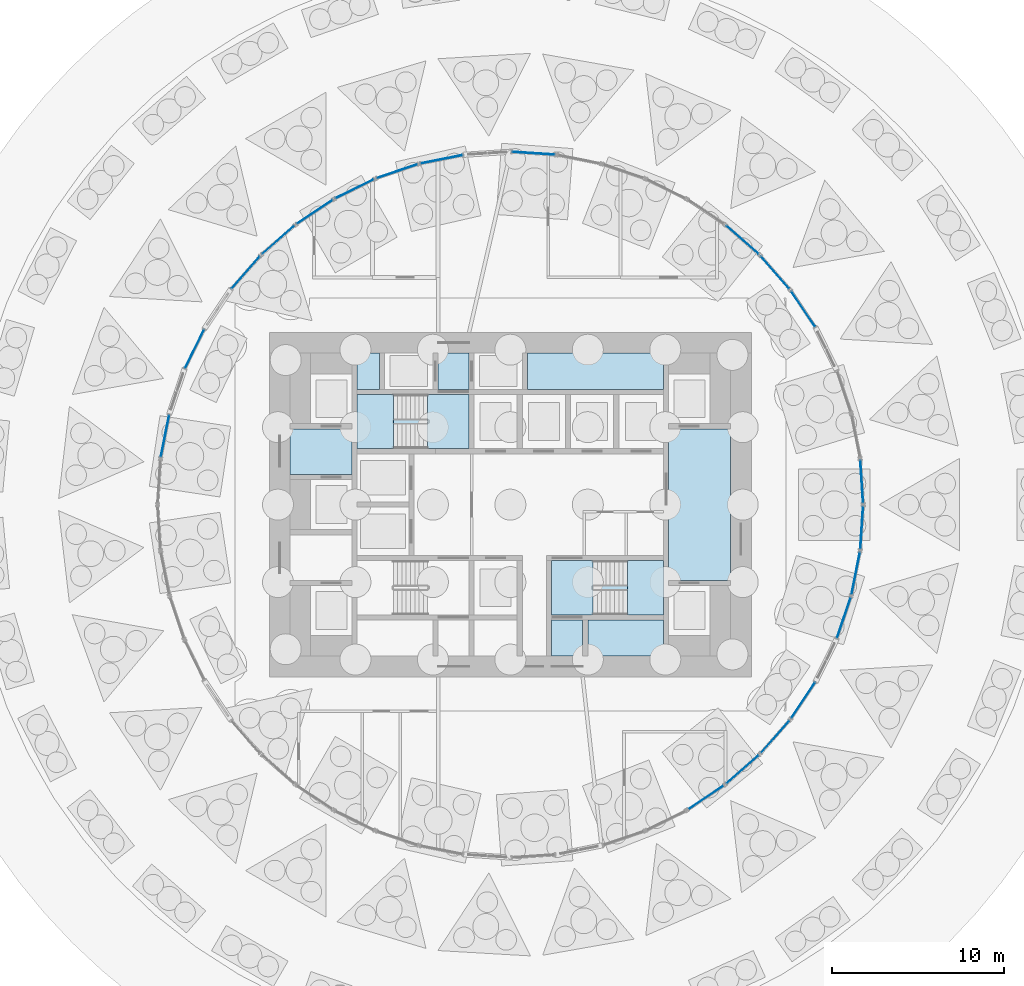
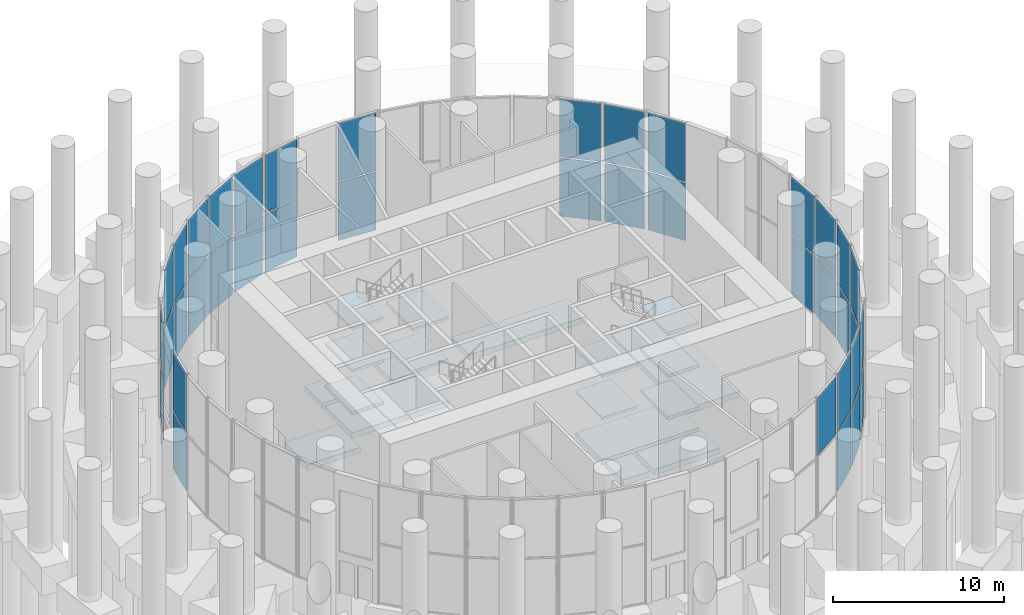
# One storey, part 11 of 20: 39 plates, 19 slabs, 22 elements without a shape of their own.
"""IFC4 building model written with IfcOpenShell, lengths in metres."""

from ifc_helpers import new_model, si_unit, direction, frame, origin, origin_2d, place, context, subcontext, project, spatial, polyline, rectangle, outline, extrude, material, layer, layer_set, type_object, element, aggregate, save


model = new_model("IFC4")

# Units and contexts
model_context = context("Model", 3, precision=1e-05, world=origin(), true_north=direction((0.0, 1.0)))
body_context = subcontext(model_context, "Body", "Model", "MODEL_VIEW")
ifc_project = project(units=[si_unit("LENGTHUNIT", "METRE"), si_unit("AREAUNIT", "SQUARE_METRE"), si_unit("VOLUMEUNIT", "CUBIC_METRE"), si_unit("PLANEANGLEUNIT", "RADIAN"), si_unit("MASSUNIT", "GRAM", prefix="KILO")], contexts=[model_context])

# Site, building, storey
site_placement = place(None, origin())
site = spatial("IfcSite", under=ifc_project, at=site_placement, CompositionType="ELEMENT")
building_placement = place(site_placement, origin())
building = spatial("IfcBuilding", under=site, at=building_placement, Name="Tracery Tower", CompositionType="ELEMENT")
storey_placement = place(building_placement, origin())
storey = spatial("IfcBuildingStorey", under=building, at=storey_placement, Name="L00", CompositionType="ELEMENT", Elevation=0.0)

# Slabs
ifc_material_1 = material(Name="Concrete C60/75", Category="concrete")
ifc_layer_1 = layer(ifc_material_1, 0.39990234375)
ifc_layer_set_1 = layer_set([ifc_layer_1], Name="Core floor slab 400 C60")
slab_type_1 = type_object("IfcSlabType", Name="Core floor slab 400 C60", PredefinedType="FLOOR", material=ifc_layer_set_1)
slab_1_placement = place(storey_placement, frame((0.0, 0.0, -0.39990234375)))
element("IfcSlab", 1, at=slab_1_placement, inside=storey, type_object=slab_type_1, Name="L00 core floor 1", PredefinedType="FLOOR", context=body_context, shape_type="SweptSolid", body=[
    extrude(outline(polyline([(-8.89990234375, 8.800048828125), (-7.60009765625, 8.800048828125), (-7.60009765625, 6.699951171875), (-8.89990234375, 6.699951171875), (-8.89990234375, 8.800048828125)])), origin(), (0.0, 0.0, 1.0), 0.39990234375),
])
slab_2_placement = place(storey_placement, frame((0.0, 0.0, -0.39990234375)))
element("IfcSlab", 2, at=slab_2_placement, inside=storey, type_object=slab_type_1, Name="L00 core floor 2", PredefinedType="FLOOR", context=body_context, shape_type="SweptSolid", body=[
    extrude(outline(polyline([(-8.89990234375, 6.39990234375), (-2.39990234375, 6.39990234375), (-2.39990234375, 3.25), (-8.89990234375, 3.25), (-8.89990234375, 6.39990234375)])), origin(), (0.0, 0.0, 1.0), 0.39990234375),
])
slab_3_placement = place(storey_placement, frame((0.0, 0.0, -0.39990234375)))
element("IfcSlab", 3, at=slab_3_placement, inside=storey, type_object=slab_type_1, Name="L00 core floor 4", PredefinedType="FLOOR", context=body_context, shape_type="SweptSolid", body=[
    extrude(outline(polyline([(2.39990234375, -3.25), (8.89990234375, -3.25), (8.89990234375, -6.39990234375), (2.39990234375, -6.39990234375), (2.39990234375, -3.25)])), origin(), (0.0, 0.0, 1.0), 0.39990234375),
])
slab_4_placement = place(storey_placement, frame((0.0, 0.0, -0.39990234375)))
element("IfcSlab", 4, at=slab_4_placement, inside=storey, type_object=slab_type_1, Name="L00 core floor 5", PredefinedType="FLOOR", context=body_context, shape_type="SweptSolid", body=[
    extrude(outline(polyline([(2.39990234375, -6.699951171875), (4.199951171875, -6.699951171875), (4.199951171875, -8.800048828125), (2.39990234375, -8.800048828125), (2.39990234375, -6.699951171875)])), origin(), (0.0, 0.0, 1.0), 0.39990234375),
])
slab_5_placement = place(storey_placement, frame((0.0, 0.0, -0.39990234375)))
element("IfcSlab", 5, at=slab_5_placement, inside=storey, type_object=slab_type_1, Name="L00 core floor 6", PredefinedType="FLOOR", context=body_context, shape_type="SweptSolid", body=[
    extrude(outline(polyline([(4.5, -8.800048828125), (4.5, -6.699951171875), (8.89990234375, -6.699951171875), (8.89990234375, -8.800048828125), (4.5, -8.800048828125)])), origin(), (0.0, 0.0, 1.0), 0.39990234375),
])
slab_6_placement = place(storey_placement, frame((0.0, 0.0, -0.39990234375)))
element("IfcSlab", 6, at=slab_6_placement, inside=storey, type_object=slab_type_1, Name="L00 core floor 7", PredefinedType="FLOOR", context=body_context, shape_type="SweptSolid", body=[
    extrude(outline(polyline([(-12.800048828125, 1.75), (-12.800048828125, 4.39990234375), (-9.199951171875, 4.39990234375), (-9.199951171875, 1.75), (-12.800048828125, 1.75)])), origin(), (0.0, 0.0, 1.0), 0.39990234375),
])
slab_7_placement = place(storey_placement, frame((0.0, 0.0, -0.39990234375)))
element("IfcSlab", 7, at=slab_7_placement, inside=storey, type_object=slab_type_1, Name="L00 core floor 13", PredefinedType="FLOOR", context=body_context, shape_type="SweptSolid", body=[
    extrude(outline(polyline([(1.0, 8.800048828125), (8.89990234375, 8.800048828125), (8.89990234375, 6.699951171875), (1.0, 6.699951171875), (1.0, 8.800048828125)])), origin(), (0.0, 0.0, 1.0), 0.39990234375),
])
slab_8_placement = place(storey_placement, frame((0.0, 0.0, -0.39990234375)))
element("IfcSlab", 8, at=slab_8_placement, inside=storey, type_object=slab_type_1, Name="L00 core floor 14", PredefinedType="FLOOR", context=body_context, shape_type="SweptSolid", body=[
    extrude(outline(polyline([(-2.39990234375, 8.800048828125), (-2.39990234375, 6.699951171875), (-4.199951171875, 6.699951171875), (-4.199951171875, 8.800048828125), (-2.39990234375, 8.800048828125)])), origin(), (0.0, 0.0, 1.0), 0.39990234375),
])
slab_9_placement = place(storey_placement, frame((0.0, 0.0, -0.39990234375)))
element("IfcSlab", 9, at=slab_9_placement, inside=storey, type_object=slab_type_1, Name="L00 core floor 15", PredefinedType="FLOOR", context=body_context, shape_type="SweptSolid", body=[
    extrude(outline(polyline([(12.800048828125, -4.39990234375), (9.199951171875, -4.39990234375), (9.199951171875, 4.39990234375), (12.800048828125, 4.39990234375), (12.800048828125, -4.39990234375)])), origin(), (0.0, 0.0, 1.0), 0.39990234375),
])

# Curtain wall, plates
ifc_material_2 = material(Name="Aluminium curtain wall with tinted glass", Category="aluminium")
curtain_wall_type = type_object("IfcCurtainWallType", Name="Pavilion storefront curtain wall", PredefinedType="NOTDEFINED", material=ifc_material_2)
curtain_wall_1_placement = place(storey_placement, origin())
curtain_wall_1 = element("IfcCurtainWall", 10, at=curtain_wall_1_placement, inside=storey, type_object=curtain_wall_type, Name="Pavilion storefront run 00", PredefinedType="NOTDEFINED")
ifc_material_3 = material(Name="Tinted laminated glass", Category="glass")
ifc_layer_2 = layer(ifc_material_3, 0.035888671875)
ifc_layer_set_2 = layer_set([ifc_layer_2], Name="Pavilion storefront glass panel 36")
plate_type = type_object("IfcPlateType", Name="Pavilion storefront glass panel 36", PredefinedType="CURTAIN_PANEL", material=ifc_layer_set_2)
plate_1_placement = place(storey_placement, frame((20.412353515625, 1.337890625, 0.10009765625), z_axis=(0.0, 0.0, 1.0), x_axis=(-0.065421948674, 0.997857689569, 0.0)))
plate_1 = element("IfcPlate", 11, at=plate_1_placement, type_object=plate_type, Name="CWB1 panel 1.1", PredefinedType="CURTAIN_PANEL", context=body_context, shape_type="SweptSolid", body=[
    extrude(rectangle(XDim=2.461669921875, YDim=0.035888671875, at=origin_2d()), origin(), (0.0, 0.0, 1.0), 4.125),
])
plate_2_placement = place(storey_placement, frame((20.412353515625, 1.337890625, 4.324951171875), z_axis=(0.0, 0.0, 1.0), x_axis=(-0.065421948674, 0.997857689569, 0.0)))
plate_2 = element("IfcPlate", 12, at=plate_2_placement, type_object=plate_type, Name="CWB1 panel 1.2", PredefinedType="CURTAIN_PANEL", context=body_context, shape_type="SweptSolid", body=[
    extrude(rectangle(XDim=2.461669921875, YDim=0.035888671875, at=origin_2d()), origin(), (0.0, 0.0, 1.0), 4.125),
])
aggregate(curtain_wall_1, [plate_1, plate_2])

curtain_wall_2_placement = place(storey_placement, origin())
curtain_wall_2 = element("IfcCurtainWall", 13, at=curtain_wall_2_placement, inside=storey, type_object=curtain_wall_type, Name="Pavilion storefront run 04", PredefinedType="NOTDEFINED")
plate_3_placement = place(storey_placement, frame((17.008544921875, 11.36474609375, 0.10009765625), z_axis=(0.0, 0.0, 1.0), x_axis=(-0.555560344148, 0.83147621975, 0.0)))
plate_3 = element("IfcPlate", 14, at=plate_3_placement, type_object=plate_type, Name="CWB1 panel 1.1", PredefinedType="CURTAIN_PANEL", context=body_context, shape_type="SweptSolid", body=[
    extrude(rectangle(XDim=2.46142578125, YDim=0.035888671875, at=origin_2d()), origin(), (0.0, 0.0, 1.0), 4.125),
])
plate_4_placement = place(storey_placement, frame((17.008544921875, 11.36474609375, 4.324951171875), z_axis=(0.0, 0.0, 1.0), x_axis=(-0.555560344148, 0.83147621975, 0.0)))
plate_4 = element("IfcPlate", 15, at=plate_4_placement, type_object=plate_type, Name="CWB1 panel 1.2", PredefinedType="CURTAIN_PANEL", context=body_context, shape_type="SweptSolid", body=[
    extrude(rectangle(XDim=2.46142578125, YDim=0.035888671875, at=origin_2d()), origin(), (0.0, 0.0, 1.0), 4.125),
])
aggregate(curtain_wall_2, [plate_3, plate_4])

curtain_wall_3_placement = place(storey_placement, origin())
curtain_wall_3 = element("IfcCurtainWall", 16, at=curtain_wall_3_placement, inside=storey, type_object=curtain_wall_type, Name="Pavilion storefront run 05", PredefinedType="NOTDEFINED")
plate_5_placement = place(storey_placement, frame((15.379638671875, 13.487548828125, 0.10009765625), z_axis=(0.0, 0.0, 1.0), x_axis=(-0.659350537973, 0.751835665604, 0.0)))
plate_5 = element("IfcPlate", 17, at=plate_5_placement, type_object=plate_type, Name="CWB1 panel 1.1", PredefinedType="CURTAIN_PANEL", context=body_context, shape_type="SweptSolid", body=[
    extrude(rectangle(XDim=2.46142578125, YDim=0.035888671875, at=origin_2d()), origin(), (0.0, 0.0, 1.0), 4.125),
])
plate_6_placement = place(storey_placement, frame((15.379638671875, 13.487548828125, 4.324951171875), z_axis=(0.0, 0.0, 1.0), x_axis=(-0.659350537973, 0.751835665604, 0.0)))
plate_6 = element("IfcPlate", 18, at=plate_6_placement, type_object=plate_type, Name="CWB1 panel 1.2", PredefinedType="CURTAIN_PANEL", context=body_context, shape_type="SweptSolid", body=[
    extrude(rectangle(XDim=2.46142578125, YDim=0.035888671875, at=origin_2d()), origin(), (0.0, 0.0, 1.0), 4.125),
])
aggregate(curtain_wall_3, [plate_5, plate_6])

curtain_wall_4_placement = place(storey_placement, origin())
curtain_wall_4 = element("IfcCurtainWall", 19, at=curtain_wall_4_placement, inside=storey, type_object=curtain_wall_type, Name="Pavilion storefront run 06", PredefinedType="NOTDEFINED")
plate_7_placement = place(storey_placement, frame((13.487548828125, 15.379638671875, 0.10009765625), z_axis=(0.0, 0.0, 1.0), x_axis=(-0.751835665604, 0.659350537973, 0.0)))
plate_7 = element("IfcPlate", 20, at=plate_7_placement, type_object=plate_type, Name="CWB1 panel 1.1", PredefinedType="CURTAIN_PANEL", context=body_context, shape_type="SweptSolid", body=[
    extrude(rectangle(XDim=2.46142578125, YDim=0.035888671875, at=origin_2d()), origin(), (0.0, 0.0, 1.0), 4.125),
])
plate_8_placement = place(storey_placement, frame((13.487548828125, 15.379638671875, 4.324951171875), z_axis=(0.0, 0.0, 1.0), x_axis=(-0.751835665604, 0.659350537973, 0.0)))
plate_8 = element("IfcPlate", 21, at=plate_8_placement, type_object=plate_type, Name="CWB1 panel 1.2", PredefinedType="CURTAIN_PANEL", context=body_context, shape_type="SweptSolid", body=[
    extrude(rectangle(XDim=2.46142578125, YDim=0.035888671875, at=origin_2d()), origin(), (0.0, 0.0, 1.0), 4.125),
])
aggregate(curtain_wall_4, [plate_7, plate_8])

curtain_wall_5_placement = place(storey_placement, origin())
curtain_wall_5 = element("IfcCurtainWall", 22, at=curtain_wall_5_placement, inside=storey, type_object=curtain_wall_type, Name="Pavilion storefront run 11", PredefinedType="NOTDEFINED")
plate_9_placement = place(storey_placement, frame((1.337890625, 20.412353515625, 0.10009765625), z_axis=(0.0, 0.0, 1.0), x_axis=(-0.997857689569, 0.065421948674, 0.0)))
plate_9 = element("IfcPlate", 23, at=plate_9_placement, type_object=plate_type, Name="CWB1 panel 1.1", PredefinedType="CURTAIN_PANEL", context=body_context, shape_type="SweptSolid", body=[
    extrude(rectangle(XDim=2.461669921875, YDim=0.035888671875, at=origin_2d()), origin(), (0.0, 0.0, 1.0), 4.125),
])
plate_10_placement = place(storey_placement, frame((1.337890625, 20.412353515625, 4.324951171875), z_axis=(0.0, 0.0, 1.0), x_axis=(-0.997857689569, 0.065421948674, 0.0)))
plate_10 = element("IfcPlate", 24, at=plate_10_placement, type_object=plate_type, Name="CWB1 panel 1.2", PredefinedType="CURTAIN_PANEL", context=body_context, shape_type="SweptSolid", body=[
    extrude(rectangle(XDim=2.461669921875, YDim=0.035888671875, at=origin_2d()), origin(), (0.0, 0.0, 1.0), 4.125),
])
aggregate(curtain_wall_5, [plate_9, plate_10])

curtain_wall_6_placement = place(storey_placement, origin())
curtain_wall_6 = element("IfcCurtainWall", 25, at=curtain_wall_6_placement, inside=storey, type_object=curtain_wall_type, Name="Pavilion storefront run 13", PredefinedType="NOTDEFINED")
plate_11_placement = place(storey_placement, frame((-3.99072265625, 20.06298828125, 0.10009765625), z_axis=(0.0, 0.0, 1.0), x_axis=(-0.980788574976, -0.195073758352, 0.0)))
plate_11 = element("IfcPlate", 26, at=plate_11_placement, type_object=plate_type, Name="CWB1 panel 1.1", PredefinedType="CURTAIN_PANEL", context=body_context, shape_type="SweptSolid", body=[
    extrude(rectangle(XDim=2.461669921875, YDim=0.035888671875, at=origin_2d()), origin(), (0.0, 0.0, 1.0), 4.125),
])
plate_12_placement = place(storey_placement, frame((-3.99072265625, 20.06298828125, 4.324951171875), z_axis=(0.0, 0.0, 1.0), x_axis=(-0.980788574976, -0.195073758352, 0.0)))
plate_12 = element("IfcPlate", 27, at=plate_12_placement, type_object=plate_type, Name="CWB1 panel 1.2", PredefinedType="CURTAIN_PANEL", context=body_context, shape_type="SweptSolid", body=[
    extrude(rectangle(XDim=2.461669921875, YDim=0.035888671875, at=origin_2d()), origin(), (0.0, 0.0, 1.0), 4.125),
])
aggregate(curtain_wall_6, [plate_11, plate_12])

curtain_wall_7_placement = place(storey_placement, origin())
curtain_wall_7 = element("IfcCurtainWall", 28, at=curtain_wall_7_placement, inside=storey, type_object=curtain_wall_type, Name="Pavilion storefront run 14", PredefinedType="NOTDEFINED")
plate_13_placement = place(storey_placement, frame((-6.575439453125, 19.37060546875, 0.10009765625), z_axis=(0.0, 0.0, 1.0), x_axis=(-0.946931489225, -0.32143545964, 0.0)))
plate_13 = element("IfcPlate", 29, at=plate_13_placement, type_object=plate_type, Name="CWB1 panel 1.1", PredefinedType="CURTAIN_PANEL", context=body_context, shape_type="SweptSolid", body=[
    extrude(rectangle(XDim=2.46142578125, YDim=0.035888671875, at=origin_2d()), origin(), (0.0, 0.0, 1.0), 4.125),
])
plate_14_placement = place(storey_placement, frame((-6.575439453125, 19.37060546875, 4.324951171875), z_axis=(0.0, 0.0, 1.0), x_axis=(-0.946931489225, -0.32143545964, 0.0)))
plate_14 = element("IfcPlate", 30, at=plate_14_placement, type_object=plate_type, Name="CWB1 panel 1.2", PredefinedType="CURTAIN_PANEL", context=body_context, shape_type="SweptSolid", body=[
    extrude(rectangle(XDim=2.46142578125, YDim=0.035888671875, at=origin_2d()), origin(), (0.0, 0.0, 1.0), 4.125),
])
aggregate(curtain_wall_7, [plate_13, plate_14])

curtain_wall_8_placement = place(storey_placement, origin())
curtain_wall_8 = element("IfcCurtainWall", 31, at=curtain_wall_8_placement, inside=storey, type_object=curtain_wall_type, Name="Pavilion storefront run 15", PredefinedType="NOTDEFINED")
plate_15_placement = place(storey_placement, frame((-9.047607421875, 18.346435546875, 0.10009765625), z_axis=(0.0, 0.0, 1.0), x_axis=(-0.896873794872, -0.442286554251, 0.0)))
plate_15 = element("IfcPlate", 32, at=plate_15_placement, type_object=plate_type, Name="CWB1 panel 1.1", PredefinedType="CURTAIN_PANEL", context=body_context, shape_type="SweptSolid", body=[
    extrude(rectangle(XDim=2.46142578125, YDim=0.035888671875, at=origin_2d()), origin(), (0.0, 0.0, 1.0), 4.125),
])
plate_16_placement = place(storey_placement, frame((-9.047607421875, 18.346435546875, 4.324951171875), z_axis=(0.0, 0.0, 1.0), x_axis=(-0.896873794872, -0.442286554251, 0.0)))
plate_16 = element("IfcPlate", 33, at=plate_16_placement, type_object=plate_type, Name="CWB1 panel 1.2", PredefinedType="CURTAIN_PANEL", context=body_context, shape_type="SweptSolid", body=[
    extrude(rectangle(XDim=2.46142578125, YDim=0.035888671875, at=origin_2d()), origin(), (0.0, 0.0, 1.0), 4.125),
])
aggregate(curtain_wall_8, [plate_15, plate_16])

curtain_wall_9_placement = place(storey_placement, origin())
curtain_wall_9 = element("IfcCurtainWall", 34, at=curtain_wall_9_placement, inside=storey, type_object=curtain_wall_type, Name="Pavilion storefront run 16", PredefinedType="NOTDEFINED")
plate_17_placement = place(storey_placement, frame((-11.36474609375, 17.008544921875, 0.10009765625), z_axis=(0.0, 0.0, 1.0), x_axis=(-0.83147621975, -0.555560344148, 0.0)))
plate_17 = element("IfcPlate", 35, at=plate_17_placement, type_object=plate_type, Name="CWB1 panel 1.1", PredefinedType="CURTAIN_PANEL", context=body_context, shape_type="SweptSolid", body=[
    extrude(rectangle(XDim=2.46142578125, YDim=0.035888671875, at=origin_2d()), origin(), (0.0, 0.0, 1.0), 4.125),
])
plate_18_placement = place(storey_placement, frame((-11.36474609375, 17.008544921875, 4.324951171875), z_axis=(0.0, 0.0, 1.0), x_axis=(-0.83147621975, -0.555560344148, 0.0)))
plate_18 = element("IfcPlate", 36, at=plate_18_placement, type_object=plate_type, Name="CWB1 panel 1.2", PredefinedType="CURTAIN_PANEL", context=body_context, shape_type="SweptSolid", body=[
    extrude(rectangle(XDim=2.46142578125, YDim=0.035888671875, at=origin_2d()), origin(), (0.0, 0.0, 1.0), 4.125),
])
aggregate(curtain_wall_9, [plate_17, plate_18])

curtain_wall_10_placement = place(storey_placement, origin())
curtain_wall_10 = element("IfcCurtainWall", 37, at=curtain_wall_10_placement, inside=storey, type_object=curtain_wall_type, Name="Pavilion storefront run 17", PredefinedType="NOTDEFINED")
plate_19_placement = place(storey_placement, frame((-13.487548828125, 15.379638671875, 0.10009765625), z_axis=(0.0, 0.0, 1.0), x_axis=(-0.751835665604, -0.659350537973, 0.0)))
plate_19 = element("IfcPlate", 38, at=plate_19_placement, type_object=plate_type, Name="CWB1 panel 1.1", PredefinedType="CURTAIN_PANEL", context=body_context, shape_type="SweptSolid", body=[
    extrude(rectangle(XDim=2.46142578125, YDim=0.035888671875, at=origin_2d()), origin(), (0.0, 0.0, 1.0), 4.125),
])
plate_20_placement = place(storey_placement, frame((-13.487548828125, 15.379638671875, 4.324951171875), z_axis=(0.0, 0.0, 1.0), x_axis=(-0.751835665604, -0.659350537973, 0.0)))
plate_20 = element("IfcPlate", 39, at=plate_20_placement, type_object=plate_type, Name="CWB1 panel 1.2", PredefinedType="CURTAIN_PANEL", context=body_context, shape_type="SweptSolid", body=[
    extrude(rectangle(XDim=2.46142578125, YDim=0.035888671875, at=origin_2d()), origin(), (0.0, 0.0, 1.0), 4.125),
])
aggregate(curtain_wall_10, [plate_19, plate_20])

curtain_wall_11_placement = place(storey_placement, origin())
curtain_wall_11 = element("IfcCurtainWall", 40, at=curtain_wall_11_placement, inside=storey, type_object=curtain_wall_type, Name="Pavilion storefront run 18", PredefinedType="NOTDEFINED")
plate_21_placement = place(storey_placement, frame((-15.379638671875, 13.487548828125, 0.10009765625), z_axis=(0.0, 0.0, 1.0), x_axis=(-0.659350537973, -0.751835665604, 0.0)))
plate_21 = element("IfcPlate", 41, at=plate_21_placement, type_object=plate_type, Name="CWB1 panel 1.1", PredefinedType="CURTAIN_PANEL", context=body_context, shape_type="SweptSolid", body=[
    extrude(rectangle(XDim=2.46142578125, YDim=0.035888671875, at=origin_2d()), origin(), (0.0, 0.0, 1.0), 4.125),
])
plate_22_placement = place(storey_placement, frame((-15.379638671875, 13.487548828125, 4.324951171875), z_axis=(0.0, 0.0, 1.0), x_axis=(-0.659350537973, -0.751835665604, 0.0)))
plate_22 = element("IfcPlate", 42, at=plate_22_placement, type_object=plate_type, Name="CWB1 panel 1.2", PredefinedType="CURTAIN_PANEL", context=body_context, shape_type="SweptSolid", body=[
    extrude(rectangle(XDim=2.46142578125, YDim=0.035888671875, at=origin_2d()), origin(), (0.0, 0.0, 1.0), 4.125),
])
aggregate(curtain_wall_11, [plate_21, plate_22])

curtain_wall_12_placement = place(storey_placement, origin())
curtain_wall_12 = element("IfcCurtainWall", 43, at=curtain_wall_12_placement, inside=storey, type_object=curtain_wall_type, Name="Pavilion storefront run 20", PredefinedType="NOTDEFINED")
plate_23_placement = place(storey_placement, frame((-18.346435546875, 9.047607421875, 0.10009765625), z_axis=(0.0, 0.0, 1.0), x_axis=(-0.442286554251, -0.896873794872, 0.0)))
plate_23 = element("IfcPlate", 44, at=plate_23_placement, type_object=plate_type, Name="CWB1 panel 1.1", PredefinedType="CURTAIN_PANEL", context=body_context, shape_type="SweptSolid", body=[
    extrude(rectangle(XDim=2.46142578125, YDim=0.035888671875, at=origin_2d()), origin(), (0.0, 0.0, 1.0), 4.125),
])
plate_24_placement = place(storey_placement, frame((-18.346435546875, 9.047607421875, 4.324951171875), z_axis=(0.0, 0.0, 1.0), x_axis=(-0.442286554251, -0.896873794872, 0.0)))
plate_24 = element("IfcPlate", 45, at=plate_24_placement, type_object=plate_type, Name="CWB1 panel 1.2", PredefinedType="CURTAIN_PANEL", context=body_context, shape_type="SweptSolid", body=[
    extrude(rectangle(XDim=2.46142578125, YDim=0.035888671875, at=origin_2d()), origin(), (0.0, 0.0, 1.0), 4.125),
])
aggregate(curtain_wall_12, [plate_23, plate_24])

curtain_wall_13_placement = place(storey_placement, origin())
curtain_wall_13 = element("IfcCurtainWall", 46, at=curtain_wall_13_placement, inside=storey, type_object=curtain_wall_type, Name="Pavilion storefront run 22", PredefinedType="NOTDEFINED")
plate_25_placement = place(storey_placement, frame((-20.06298828125, 3.99072265625, 0.10009765625), z_axis=(0.0, 0.0, 1.0), x_axis=(-0.195073758352, -0.980788574976, 0.0)))
plate_25 = element("IfcPlate", 47, at=plate_25_placement, type_object=plate_type, Name="CWB1 panel 1.1", PredefinedType="CURTAIN_PANEL", context=body_context, shape_type="SweptSolid", body=[
    extrude(rectangle(XDim=2.461669921875, YDim=0.035888671875, at=origin_2d()), origin(), (0.0, 0.0, 1.0), 4.125),
])
plate_26_placement = place(storey_placement, frame((-20.06298828125, 3.99072265625, 4.324951171875), z_axis=(0.0, 0.0, 1.0), x_axis=(-0.195073758352, -0.980788574976, 0.0)))
plate_26 = element("IfcPlate", 48, at=plate_26_placement, type_object=plate_type, Name="CWB1 panel 1.2", PredefinedType="CURTAIN_PANEL", context=body_context, shape_type="SweptSolid", body=[
    extrude(rectangle(XDim=2.461669921875, YDim=0.035888671875, at=origin_2d()), origin(), (0.0, 0.0, 1.0), 4.125),
])
aggregate(curtain_wall_13, [plate_25, plate_26])

# Curtain wall, plate
curtain_wall_14_placement = place(storey_placement, origin())
curtain_wall_14 = element("IfcCurtainWall", 49, at=curtain_wall_14_placement, inside=storey, type_object=curtain_wall_type, Name="Pavilion storefront run 40", PredefinedType="NOTDEFINED")
plate_27_placement = place(storey_placement, frame((11.36474609375, -17.008544921875, 4.324951171875), z_axis=(0.0, 0.0, 1.0), x_axis=(0.83147621975, 0.555560344148, 0.0)))
plate_27 = element("IfcPlate", 50, at=plate_27_placement, type_object=plate_type, Name="CWB1 panel 1.2", PredefinedType="CURTAIN_PANEL", context=body_context, shape_type="SweptSolid", body=[
    extrude(rectangle(XDim=2.46142578125, YDim=0.035888671875, at=origin_2d()), origin(), (0.0, 0.0, 1.0), 4.125),
])
aggregate(curtain_wall_14, [plate_27])

# Curtain wall, plates
curtain_wall_15_placement = place(storey_placement, origin())
curtain_wall_15 = element("IfcCurtainWall", 51, at=curtain_wall_15_placement, inside=storey, type_object=curtain_wall_type, Name="Pavilion storefront run 41", PredefinedType="NOTDEFINED")
plate_28_placement = place(storey_placement, frame((13.487548828125, -15.379638671875, 0.10009765625), z_axis=(0.0, 0.0, 1.0), x_axis=(0.751835665604, 0.659350537973, 0.0)))
plate_28 = element("IfcPlate", 52, at=plate_28_placement, type_object=plate_type, Name="CWB1 panel 1.1", PredefinedType="CURTAIN_PANEL", context=body_context, shape_type="SweptSolid", body=[
    extrude(rectangle(XDim=2.46142578125, YDim=0.035888671875, at=origin_2d()), origin(), (0.0, 0.0, 1.0), 4.125),
])
plate_29_placement = place(storey_placement, frame((13.487548828125, -15.379638671875, 4.324951171875), z_axis=(0.0, 0.0, 1.0), x_axis=(0.751835665604, 0.659350537973, 0.0)))
plate_29 = element("IfcPlate", 53, at=plate_29_placement, type_object=plate_type, Name="CWB1 panel 1.2", PredefinedType="CURTAIN_PANEL", context=body_context, shape_type="SweptSolid", body=[
    extrude(rectangle(XDim=2.46142578125, YDim=0.035888671875, at=origin_2d()), origin(), (0.0, 0.0, 1.0), 4.125),
])
aggregate(curtain_wall_15, [plate_28, plate_29])

curtain_wall_16_placement = place(storey_placement, origin())
curtain_wall_16 = element("IfcCurtainWall", 54, at=curtain_wall_16_placement, inside=storey, type_object=curtain_wall_type, Name="Pavilion storefront run 42", PredefinedType="NOTDEFINED")
plate_30_placement = place(storey_placement, frame((15.379638671875, -13.487548828125, 0.10009765625), z_axis=(0.0, 0.0, 1.0), x_axis=(0.659350537973, 0.751835665604, 0.0)))
plate_30 = element("IfcPlate", 55, at=plate_30_placement, type_object=plate_type, Name="CWB1 panel 1.1", PredefinedType="CURTAIN_PANEL", context=body_context, shape_type="SweptSolid", body=[
    extrude(rectangle(XDim=2.46142578125, YDim=0.035888671875, at=origin_2d()), origin(), (0.0, 0.0, 1.0), 4.125),
])
plate_31_placement = place(storey_placement, frame((15.379638671875, -13.487548828125, 4.324951171875), z_axis=(0.0, 0.0, 1.0), x_axis=(0.659350537973, 0.751835665604, 0.0)))
plate_31 = element("IfcPlate", 56, at=plate_31_placement, type_object=plate_type, Name="CWB1 panel 1.2", PredefinedType="CURTAIN_PANEL", context=body_context, shape_type="SweptSolid", body=[
    extrude(rectangle(XDim=2.46142578125, YDim=0.035888671875, at=origin_2d()), origin(), (0.0, 0.0, 1.0), 4.125),
])
aggregate(curtain_wall_16, [plate_30, plate_31])

curtain_wall_17_placement = place(storey_placement, origin())
curtain_wall_17 = element("IfcCurtainWall", 57, at=curtain_wall_17_placement, inside=storey, type_object=curtain_wall_type, Name="Pavilion storefront run 43", PredefinedType="NOTDEFINED")
plate_32_placement = place(storey_placement, frame((17.008544921875, -11.36474609375, 0.10009765625), z_axis=(0.0, 0.0, 1.0), x_axis=(0.555560344148, 0.83147621975, 0.0)))
plate_32 = element("IfcPlate", 58, at=plate_32_placement, type_object=plate_type, Name="CWB1 panel 1.1", PredefinedType="CURTAIN_PANEL", context=body_context, shape_type="SweptSolid", body=[
    extrude(rectangle(XDim=2.46142578125, YDim=0.035888671875, at=origin_2d()), origin(), (0.0, 0.0, 1.0), 4.125),
])
plate_33_placement = place(storey_placement, frame((17.008544921875, -11.36474609375, 4.324951171875), z_axis=(0.0, 0.0, 1.0), x_axis=(0.555560344148, 0.83147621975, 0.0)))
plate_33 = element("IfcPlate", 59, at=plate_33_placement, type_object=plate_type, Name="CWB1 panel 1.2", PredefinedType="CURTAIN_PANEL", context=body_context, shape_type="SweptSolid", body=[
    extrude(rectangle(XDim=2.46142578125, YDim=0.035888671875, at=origin_2d()), origin(), (0.0, 0.0, 1.0), 4.125),
])
aggregate(curtain_wall_17, [plate_32, plate_33])

curtain_wall_18_placement = place(storey_placement, origin())
curtain_wall_18 = element("IfcCurtainWall", 60, at=curtain_wall_18_placement, inside=storey, type_object=curtain_wall_type, Name="Pavilion storefront run 45", PredefinedType="NOTDEFINED")
plate_34_placement = place(storey_placement, frame((19.37060546875, -6.575439453125, 0.10009765625), z_axis=(0.0, 0.0, 1.0), x_axis=(0.32143545964, 0.946931489225, 0.0)))
plate_34 = element("IfcPlate", 61, at=plate_34_placement, type_object=plate_type, Name="CWB1 panel 1.1", PredefinedType="CURTAIN_PANEL", context=body_context, shape_type="SweptSolid", body=[
    extrude(rectangle(XDim=2.46142578125, YDim=0.035888671875, at=origin_2d()), origin(), (0.0, 0.0, 1.0), 4.125),
])
plate_35_placement = place(storey_placement, frame((19.37060546875, -6.575439453125, 4.324951171875), z_axis=(0.0, 0.0, 1.0), x_axis=(0.32143545964, 0.946931489225, 0.0)))
plate_35 = element("IfcPlate", 62, at=plate_35_placement, type_object=plate_type, Name="CWB1 panel 1.2", PredefinedType="CURTAIN_PANEL", context=body_context, shape_type="SweptSolid", body=[
    extrude(rectangle(XDim=2.46142578125, YDim=0.035888671875, at=origin_2d()), origin(), (0.0, 0.0, 1.0), 4.125),
])
aggregate(curtain_wall_18, [plate_34, plate_35])

curtain_wall_19_placement = place(storey_placement, origin())
curtain_wall_19 = element("IfcCurtainWall", 63, at=curtain_wall_19_placement, inside=storey, type_object=curtain_wall_type, Name="Pavilion storefront run 46", PredefinedType="NOTDEFINED")
plate_36_placement = place(storey_placement, frame((20.06298828125, -3.99072265625, 0.10009765625), z_axis=(0.0, 0.0, 1.0), x_axis=(0.195073758352, 0.980788574976, 0.0)))
plate_36 = element("IfcPlate", 64, at=plate_36_placement, type_object=plate_type, Name="CWB1 panel 1.1", PredefinedType="CURTAIN_PANEL", context=body_context, shape_type="SweptSolid", body=[
    extrude(rectangle(XDim=2.461669921875, YDim=0.035888671875, at=origin_2d()), origin(), (0.0, 0.0, 1.0), 4.125),
])
plate_37_placement = place(storey_placement, frame((20.06298828125, -3.99072265625, 4.324951171875), z_axis=(0.0, 0.0, 1.0), x_axis=(0.195073758352, 0.980788574976, 0.0)))
plate_37 = element("IfcPlate", 65, at=plate_37_placement, type_object=plate_type, Name="CWB1 panel 1.2", PredefinedType="CURTAIN_PANEL", context=body_context, shape_type="SweptSolid", body=[
    extrude(rectangle(XDim=2.461669921875, YDim=0.035888671875, at=origin_2d()), origin(), (0.0, 0.0, 1.0), 4.125),
])
aggregate(curtain_wall_19, [plate_36, plate_37])

curtain_wall_20_placement = place(storey_placement, origin())
curtain_wall_20 = element("IfcCurtainWall", 66, at=curtain_wall_20_placement, inside=storey, type_object=curtain_wall_type, Name="Pavilion storefront run 47", PredefinedType="NOTDEFINED")
plate_38_placement = place(storey_placement, frame((20.412353515625, -1.337890625, 0.10009765625), z_axis=(0.0, 0.0, 1.0), x_axis=(0.065421948674, 0.997857689569, 0.0)))
plate_38 = element("IfcPlate", 67, at=plate_38_placement, type_object=plate_type, Name="CWB1 panel 1.1", PredefinedType="CURTAIN_PANEL", context=body_context, shape_type="SweptSolid", body=[
    extrude(rectangle(XDim=2.461669921875, YDim=0.035888671875, at=origin_2d()), origin(), (0.0, 0.0, 1.0), 4.125),
])
plate_39_placement = place(storey_placement, frame((20.412353515625, -1.337890625, 4.324951171875), z_axis=(0.0, 0.0, 1.0), x_axis=(0.065421948674, 0.997857689569, 0.0)))
plate_39 = element("IfcPlate", 68, at=plate_39_placement, type_object=plate_type, Name="CWB1 panel 1.2", PredefinedType="CURTAIN_PANEL", context=body_context, shape_type="SweptSolid", body=[
    extrude(rectangle(XDim=2.461669921875, YDim=0.035888671875, at=origin_2d()), origin(), (0.0, 0.0, 1.0), 4.125),
])
aggregate(curtain_wall_20, [plate_38, plate_39])

# Stair, slabs
ifc_material_4 = material(Name="Concrete C32/40", Category="concrete")
stair_type = type_object("IfcStairType", Name="Core stair 54 risers", PredefinedType="HALF_TURN_STAIR", material=ifc_material_4)
stair_1_placement = place(storey_placement, origin())
stair_1 = element("IfcStair", 69, at=stair_1_placement, inside=storey, type_object=stair_type, Name="L00 stair ST3", PredefinedType="HALF_TURN_STAIR")
ifc_material_5 = material(Name="Concrete C32/40", Category="concrete")
ifc_layer_3 = layer(ifc_material_5, 0.199951171875)
ifc_layer_set_3 = layer_set([ifc_layer_3], Name="Stair landing slab 200")
slab_type_2 = type_object("IfcSlabType", Name="Stair landing slab 200", PredefinedType="LANDING", material=ifc_layer_set_3)
slab_10_placement = place(storey_placement, frame((0.0, 0.0, 1.300048828125)))
slab_10 = element("IfcSlab", 70, at=slab_10_placement, type_object=slab_type_2, Name="ST3 landing 1", PredefinedType="LANDING", context=body_context, shape_type="SweptSolid", body=[
    extrude(outline(polyline([(-6.79931640625, 6.39990234375), (-8.89990234375, 6.39990234375), (-8.89990234375, 3.25), (-6.79931640625, 3.25), (-6.79931640625, 6.39990234375)])), origin(), (0.0, 0.0, 1.0), 0.199951171875),
])
slab_11_placement = place(storey_placement, frame((0.0, 0.0, 2.800048828125)))
slab_11 = element("IfcSlab", 71, at=slab_11_placement, type_object=slab_type_2, Name="ST3 landing 2", PredefinedType="LANDING", context=body_context, shape_type="SweptSolid", body=[
    extrude(outline(polyline([(-2.39990234375, 6.39990234375), (-4.800537109375, 6.39990234375), (-4.800537109375, 3.25), (-2.39990234375, 3.25), (-2.39990234375, 6.39990234375)])), origin(), (0.0, 0.0, 1.0), 0.199951171875),
])
slab_12_placement = place(storey_placement, frame((0.0, 0.0, 4.300048828125)))
slab_12 = element("IfcSlab", 72, at=slab_12_placement, type_object=slab_type_2, Name="ST3 landing 3", PredefinedType="LANDING", context=body_context, shape_type="SweptSolid", body=[
    extrude(outline(polyline([(-6.79931640625, 6.39990234375), (-8.89990234375, 6.39990234375), (-8.89990234375, 3.25), (-6.79931640625, 3.25), (-6.79931640625, 6.39990234375)])), origin(), (0.0, 0.0, 1.0), 0.199951171875),
])
slab_13_placement = place(storey_placement, frame((0.0, 0.0, 5.800048828125)))
slab_13 = element("IfcSlab", 73, at=slab_13_placement, type_object=slab_type_2, Name="ST3 landing 4", PredefinedType="LANDING", context=body_context, shape_type="SweptSolid", body=[
    extrude(outline(polyline([(-2.39990234375, 6.39990234375), (-4.800537109375, 6.39990234375), (-4.800537109375, 3.25), (-2.39990234375, 3.25), (-2.39990234375, 6.39990234375)])), origin(), (0.0, 0.0, 1.0), 0.199951171875),
])
slab_14_placement = place(storey_placement, frame((0.0, 0.0, 7.300048828125)))
slab_14 = element("IfcSlab", 74, at=slab_14_placement, type_object=slab_type_2, Name="ST3 landing 5", PredefinedType="LANDING", context=body_context, shape_type="SweptSolid", body=[
    extrude(outline(polyline([(-6.79931640625, 6.39990234375), (-8.89990234375, 6.39990234375), (-8.89990234375, 3.25), (-6.79931640625, 3.25), (-6.79931640625, 6.39990234375)])), origin(), (0.0, 0.0, 1.0), 0.199951171875),
])
aggregate(stair_1, [slab_10, slab_11, slab_12, slab_13, slab_14])

stair_2_placement = place(storey_placement, origin())
stair_2 = element("IfcStair", 75, at=stair_2_placement, inside=storey, type_object=stair_type, Name="L00 stair ST2", PredefinedType="HALF_TURN_STAIR")
slab_15_placement = place(storey_placement, frame((0.0, 0.0, 1.300048828125)))
slab_15 = element("IfcSlab", 76, at=slab_15_placement, type_object=slab_type_2, Name="ST2 landing 1", PredefinedType="LANDING", context=body_context, shape_type="SweptSolid", body=[
    extrude(outline(polyline([(6.79931640625, -6.39990234375), (8.89990234375, -6.39990234375), (8.89990234375, -3.25), (6.79931640625, -3.25), (6.79931640625, -6.39990234375)])), origin(), (0.0, 0.0, 1.0), 0.199951171875),
])
slab_16_placement = place(storey_placement, frame((0.0, 0.0, 2.800048828125)))
slab_16 = element("IfcSlab", 77, at=slab_16_placement, type_object=slab_type_2, Name="ST2 landing 2", PredefinedType="LANDING", context=body_context, shape_type="SweptSolid", body=[
    extrude(outline(polyline([(2.39990234375, -6.39990234375), (4.800537109375, -6.39990234375), (4.800537109375, -3.25), (2.39990234375, -3.25), (2.39990234375, -6.39990234375)])), origin(), (0.0, 0.0, 1.0), 0.199951171875),
])
slab_17_placement = place(storey_placement, frame((0.0, 0.0, 4.300048828125)))
slab_17 = element("IfcSlab", 78, at=slab_17_placement, type_object=slab_type_2, Name="ST2 landing 3", PredefinedType="LANDING", context=body_context, shape_type="SweptSolid", body=[
    extrude(outline(polyline([(6.79931640625, -6.39990234375), (8.89990234375, -6.39990234375), (8.89990234375, -3.25), (6.79931640625, -3.25), (6.79931640625, -6.39990234375)])), origin(), (0.0, 0.0, 1.0), 0.199951171875),
])
slab_18_placement = place(storey_placement, frame((0.0, 0.0, 5.800048828125)))
slab_18 = element("IfcSlab", 79, at=slab_18_placement, type_object=slab_type_2, Name="ST2 landing 4", PredefinedType="LANDING", context=body_context, shape_type="SweptSolid", body=[
    extrude(outline(polyline([(2.39990234375, -6.39990234375), (4.800537109375, -6.39990234375), (4.800537109375, -3.25), (2.39990234375, -3.25), (2.39990234375, -6.39990234375)])), origin(), (0.0, 0.0, 1.0), 0.199951171875),
])
slab_19_placement = place(storey_placement, frame((0.0, 0.0, 7.300048828125)))
slab_19 = element("IfcSlab", 80, at=slab_19_placement, type_object=slab_type_2, Name="ST2 landing 5", PredefinedType="LANDING", context=body_context, shape_type="SweptSolid", body=[
    extrude(outline(polyline([(6.79931640625, -6.39990234375), (8.89990234375, -6.39990234375), (8.89990234375, -3.25), (6.79931640625, -3.25), (6.79931640625, -6.39990234375)])), origin(), (0.0, 0.0, 1.0), 0.199951171875),
])
aggregate(stair_2, [slab_15, slab_16, slab_17, slab_18, slab_19])

save(model, "model.ifc")
